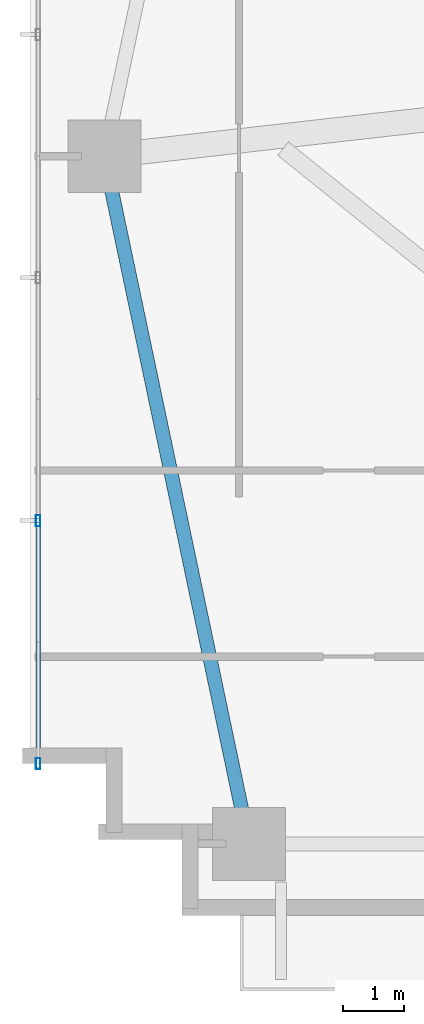
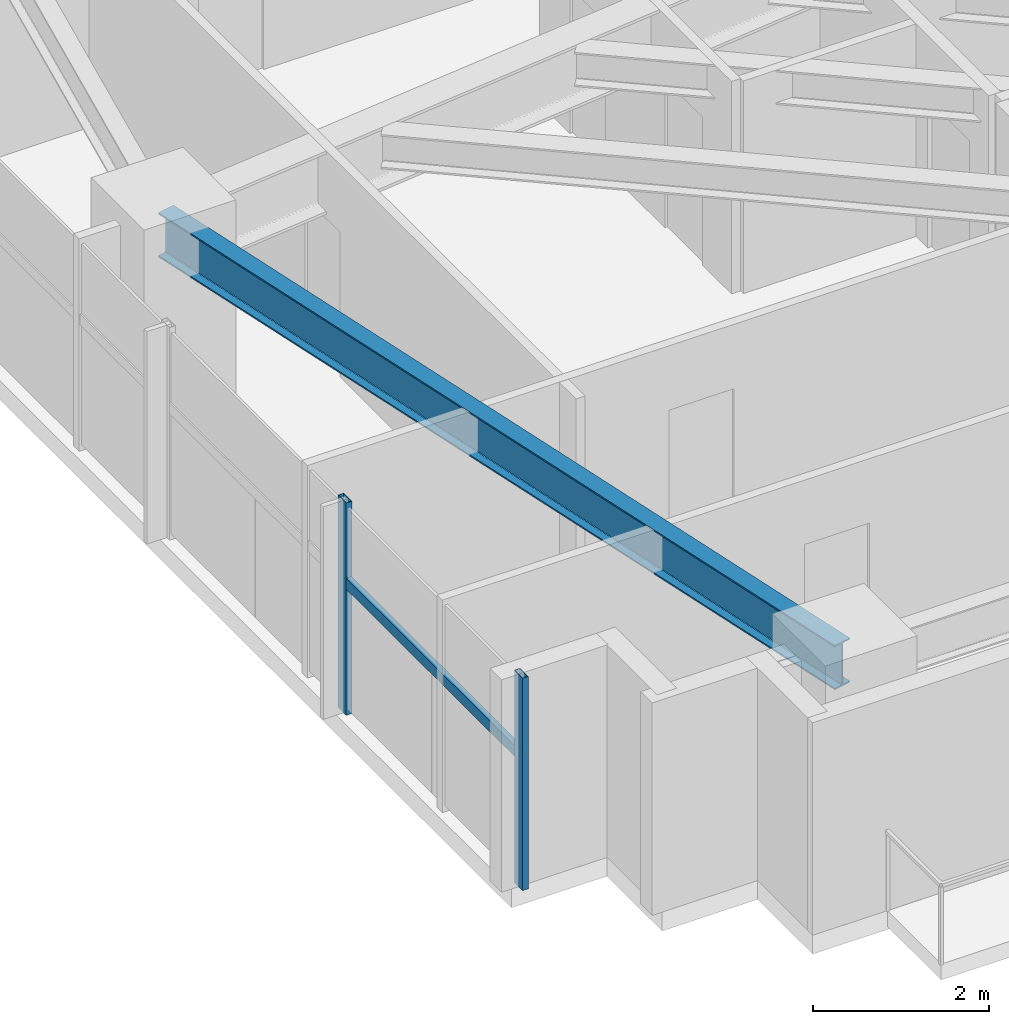
# One storey, part 2 of 25: 3 members, 1 beam, 1 element without a shape of its own.
"""IFC4 building model written with IfcOpenShell, lengths in metres."""

from ifc_helpers import new_model, si_unit, direction, frame, origin, origin_2d, place, context, subcontext, project, spatial, hollow_rectangle, i_section, extrude, source, transform, mapped, material, material_profile, profile_set, type_object, type_shapes, element, aggregate, save


model = new_model("IFC4")

# Units and contexts
model_context = context("Model", 3, precision=1e-05, world=origin(), true_north=direction((0.0, 1.0)))
body_context = subcontext(model_context, "Body", "Model", "MODEL_VIEW")
ifc_project = project(units=[si_unit("LENGTHUNIT", "METRE"), si_unit("AREAUNIT", "SQUARE_METRE"), si_unit("VOLUMEUNIT", "CUBIC_METRE"), si_unit("PLANEANGLEUNIT", "RADIAN"), si_unit("MASSUNIT", "GRAM", prefix="KILO")], contexts=[model_context])

# Site, building, storey
site_placement = place(None, origin())
site = spatial("IfcSite", under=ifc_project, at=site_placement, CompositionType="ELEMENT")
building_placement = place(site_placement, origin())
building = spatial("IfcBuilding", under=site, at=building_placement, Name="Astriad Promenade Condominiums", CompositionType="ELEMENT")
storey_placement = place(building_placement, frame((0.0, 0.0, 51.800048828125)))
storey = spatial("IfcBuildingStorey", under=building, at=storey_placement, Name="L14", CompositionType="ELEMENT", Elevation=51.800048828125)

# Beam
ifc_material_1 = material(Name="Steel ASTM A992 Grade 50", Category="steel")
ifc_material_profile_1 = material_profile(ifc_material_1, i_section(OverallWidth=0.22900390625, OverallDepth=0.612060546875, WebThickness=0.011962890625, FlangeThickness=0.01953125, FilletRadius=0.017822265625, at=origin_2d()), Name="W24X84")
ifc_profile_set_1 = profile_set([ifc_material_profile_1], Name="Steel ASTM A992 Grade 50")
beam_type = type_object("IfcBeamType", Name="STEEL SPANDREL BEAM W24X84", PredefinedType="SPANDREL", material=ifc_profile_set_1)
shared_shape_1 = source(origin(), body_context, "Body", "SweptSolid", [
    extrude(i_section(OverallWidth=0.22900390625, OverallDepth=0.612060546875, WebThickness=0.011962890625, FlangeThickness=0.01953125, FilletRadius=0.017822265625, at=origin_2d()), origin(), (0.0, 0.0, 1.0), 11.487548828125),
])
type_shapes(beam_type, [shared_shape_1])
beam_placement = place(storey_placement, frame((7.0283203125, 15.160888671875, 2.634033203125), z_axis=(0.205748055501, -0.978604995725, 0.0), x_axis=(0.978604995725, 0.205748055501, 0.0)))
element("IfcBeam", 1, at=beam_placement, inside=storey, type_object=beam_type, Name="Perimeter Spandrel Beam SP-W1-L14", PredefinedType="SPANDREL", context=body_context, shape_type="MappedRepresentation", body=[
    mapped(shared_shape_1, transform((0.0, 0.0, 0.0), scale=1.0)),
])

# Curtain wall, members
ifc_material_2 = material(Name="Anodised aluminium Black Dark Glass Unitised", Category="aluminium")
curtain_wall_type = type_object("IfcCurtainWallType", Name="CW-B1-DARK", PredefinedType="USERDEFINED", material=ifc_material_2)
curtain_wall_placement = place(storey_placement, origin())
curtain_wall = element("IfcCurtainWall", 2, at=curtain_wall_placement, inside=storey, type_object=curtain_wall_type, Name="CW-L14-W", ObjectType="UNITISED_CURTAIN_WALL", PredefinedType="USERDEFINED")
ifc_material_3 = material(Name="Anodised aluminium 6063-T6 Black", Category="aluminium")
ifc_material_profile_2 = material_profile(ifc_material_3, hollow_rectangle(XDim=0.074951171875, YDim=0.18505859375, WallThickness=0.00439453125, at=origin_2d()), Name="ALU-MUL-75X185")
ifc_profile_set_2 = profile_set([ifc_material_profile_2], Name="Anodised aluminium 6063-T6 Black")
member_type_1 = type_object("IfcMemberType", Name="MUL-ALU-MUL-75X185", PredefinedType="MULLION", material=ifc_profile_set_2)
shared_shape_2 = source(origin(), body_context, "Body", "SweptSolid", [
    extrude(hollow_rectangle(XDim=0.074951171875, YDim=0.18505859375, WallThickness=0.00439453125, at=origin_2d()), origin(), (0.0, 0.0, 1.0), 2.93994140625),
])
type_shapes(member_type_1, [shared_shape_2])
member_1_placement = place(storey_placement, frame((5.929931640625, 5.199951171875, 0.0), z_axis=(0.0, 0.0, 1.0), x_axis=(1.0, 0.0, 0.0)))
member_1 = element("IfcMember", 3, at=member_1_placement, type_object=member_type_1, Name="CW-L14-W-MUL-00", PredefinedType="MULLION", context=body_context, shape_type="MappedRepresentation", body=[
    mapped(shared_shape_2, transform((0.0, 0.0, 0.0), scale=1.0)),
])
member_2_placement = place(storey_placement, frame((5.929931640625, 9.199951171875, 0.0), z_axis=(0.0, 0.0, 1.0), x_axis=(1.0, 0.0, 0.0)))
member_2 = element("IfcMember", 4, at=member_2_placement, type_object=member_type_1, Name="CW-L14-W-MUL-01", PredefinedType="MULLION", context=body_context, shape_type="MappedRepresentation", body=[
    mapped(shared_shape_2, transform((0.0, 0.0, 0.0), scale=1.0)),
])
ifc_material_profile_3 = material_profile(ifc_material_3, hollow_rectangle(XDim=0.074951171875, YDim=0.14990234375, WallThickness=0.004150390625, at=origin_2d()), Name="ALU-TRN-75X150")
ifc_profile_set_3 = profile_set([ifc_material_profile_3], Name="Anodised aluminium 6063-T6 Black")
member_type_2 = type_object("IfcMemberType", Name="TRN-ALU-TRN-75X150", PredefinedType="USERDEFINED", material=ifc_profile_set_3)
shared_shape_3 = source(origin(), body_context, "Body", "SweptSolid", [
    extrude(hollow_rectangle(XDim=0.074951171875, YDim=0.14990234375, WallThickness=0.004150390625, at=origin_2d()), origin(), (0.0, 0.0, 1.0), 4.0),
])
type_shapes(member_type_2, [shared_shape_3])
member_3_placement = place(storey_placement, frame((5.929931640625, 5.199951171875, 1.82275390625), z_axis=(0.0, 1.0, 0.0), x_axis=(-1.0, 0.0, 0.0)))
member_3 = element("IfcMember", 5, at=member_3_placement, type_object=member_type_2, Name="CW-L14-W-TRN-00-0", ObjectType="TRANSOM", PredefinedType="USERDEFINED", context=body_context, shape_type="MappedRepresentation", body=[
    mapped(shared_shape_3, transform((0.0, 0.0, 0.0), scale=1.0)),
])
aggregate(curtain_wall, [member_1, member_2, member_3])

save(model, "model.ifc")
